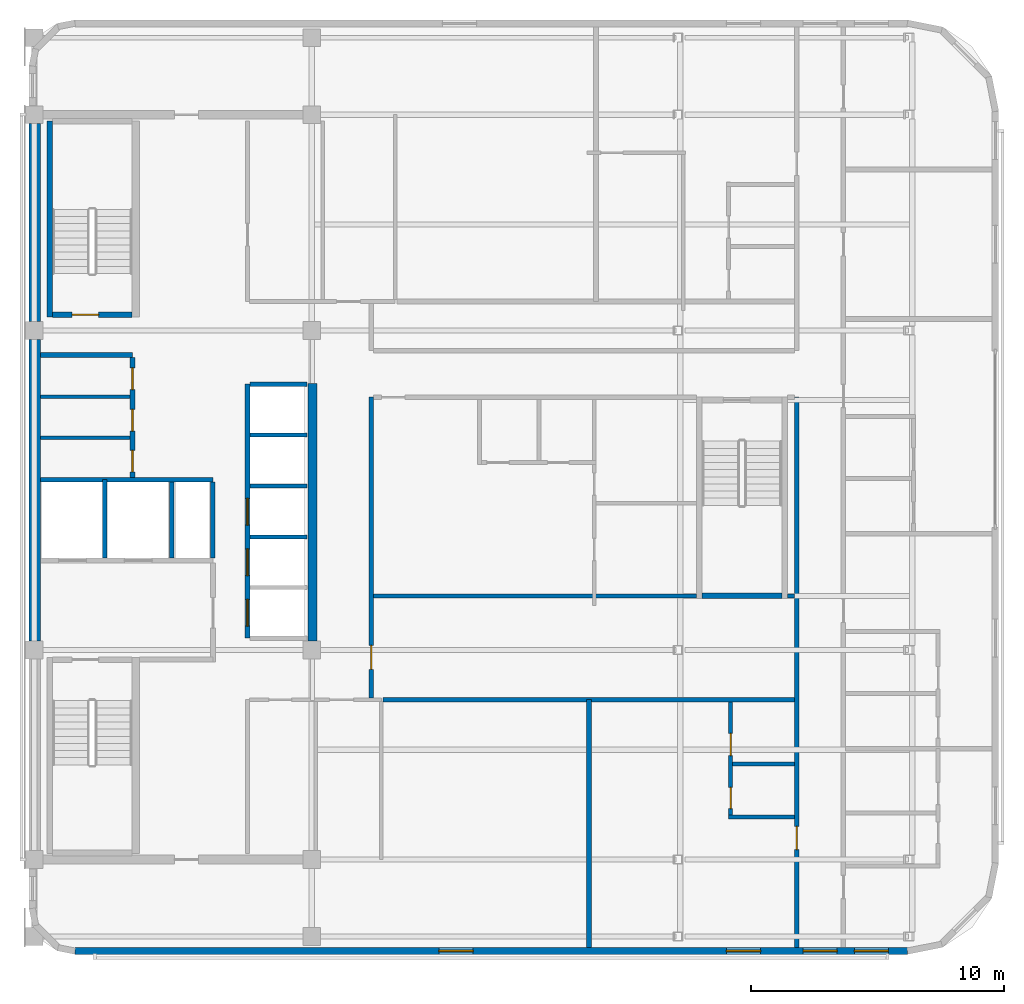
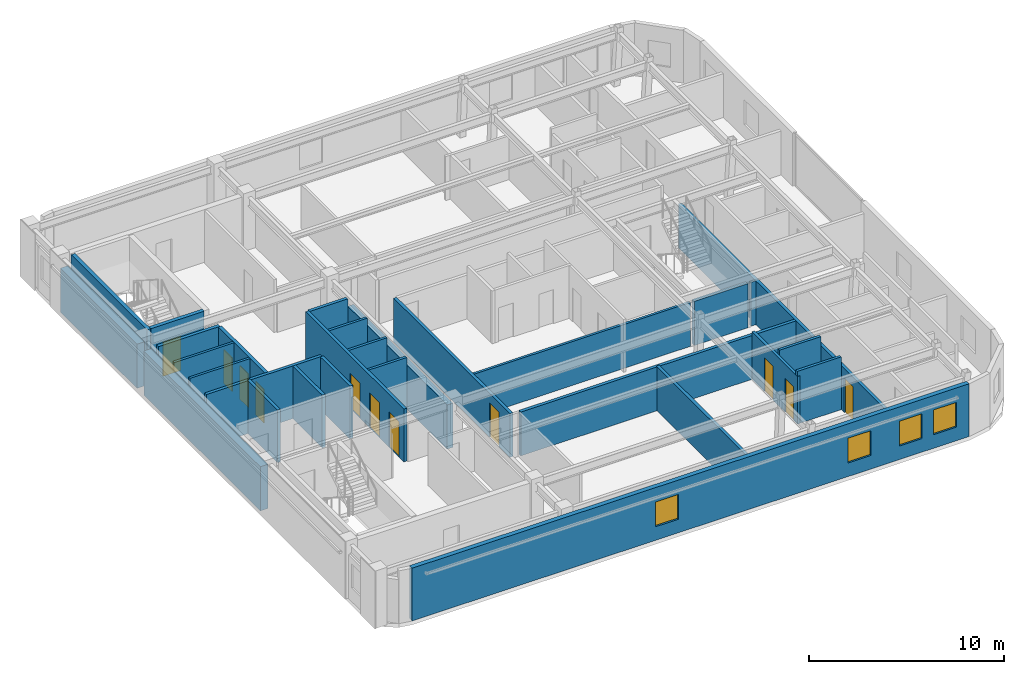
# One storey, part 4 of 11: 29 walls, 11 doors, 4 windows, 15 openings.
"""IFC4 building model written with IfcOpenShell, lengths in metres."""

from ifc_helpers import new_model, si_unit, direction, frame, frame_2d, origin, place, context, subcontext, project, spatial, rectangle, extrude, material, layer, layer_set, type_object, element, fill, save


model = new_model("IFC4")

# Units and contexts
model_context = context("Model", 3, precision=1e-05, world=origin(), true_north=direction((0.0, 1.0)))
body_context = subcontext(model_context, "Body", "Model", "MODEL_VIEW")
ifc_project = project(units=[si_unit("LENGTHUNIT", "METRE"), si_unit("AREAUNIT", "SQUARE_METRE"), si_unit("VOLUMEUNIT", "CUBIC_METRE"), si_unit("PLANEANGLEUNIT", "RADIAN"), si_unit("MASSUNIT", "GRAM", prefix="KILO")], contexts=[model_context])

# Site, building, storey
site_placement = place(None, origin())
site = spatial("IfcSite", under=ifc_project, at=site_placement, CompositionType="ELEMENT")
building_placement = place(site_placement, origin())
building = spatial("IfcBuilding", under=site, at=building_placement, Name="Ochreholt Gables", CompositionType="ELEMENT")
storey_placement = place(building_placement, frame((0.0, 0.0, 278.39990234375)))
storey = spatial("IfcBuildingStorey", under=building, at=storey_placement, Name="L73", CompositionType="ELEMENT", Elevation=278.39990234375)

# Walls
ifc_material_1 = material(Name="Concrete 50 MPa", Category="concrete")
ifc_layer_1 = layer(ifc_material_1, 0.35009765625, Name="Concrete 50 MPa")
ifc_layer_set_1 = layer_set([ifc_layer_1], Name="Concrete 50 MPa")
wall_type_1 = type_object("IfcWallType", Name="WALL-CSW-350", PredefinedType="SHEAR", material=ifc_layer_set_1)
wall_1_placement = place(storey_placement, frame((35.22509765625, 17.89990234375, 0.0), z_axis=(0.0, 0.0, 1.0), x_axis=(0.0, 1.0, 0.0)))
element("IfcWall", 1, at=wall_1_placement, inside=storey, type_object=wall_type_1, Name="L73 Core Central-East Shear Wall", PredefinedType="SHEAR", context=body_context, shape_type="SweptSolid", body=[
    extrude(rectangle(XDim=10.2001953125, YDim=0.35009765625, at=frame_2d((5.10009765625, 0.0))), origin(), (0.0, 0.0, 1.0), 2.760986328125),
])
ifc_layer_2 = layer(ifc_material_1, 0.449951171875, Name="Concrete 50 MPa")
ifc_layer_set_2 = layer_set([ifc_layer_2], Name="Concrete 50 MPa")
wall_type_2 = type_object("IfcWallType", Name="WALL-CSW-EXT", PredefinedType="SHEAR", material=ifc_layer_set_2)
wall_2_placement = place(storey_placement, frame((24.22509765625, 17.89990234375, 0.0), z_axis=(0.0, 0.0, 1.0), x_axis=(0.0, 1.0, 0.0)))
element("IfcWall", 2, at=wall_2_placement, inside=storey, type_object=wall_type_2, Name="L73 Core West Shear Wall WM", PredefinedType="SHEAR", context=body_context, shape_type="SweptSolid", body=[
    extrude(rectangle(XDim=11.9501953125, YDim=0.449951171875, at=frame_2d((5.97509765625, 0.0))), origin(), (0.0, 0.0, 1.0), 2.760986328125),
])
wall_3_placement = place(storey_placement, frame((24.22509765625, 30.550048828125, 0.0), z_axis=(0.0, 0.0, 1.0), x_axis=(0.0, 1.0, 0.0)))
element("IfcWall", 3, at=wall_3_placement, inside=storey, type_object=wall_type_2, Name="L73 Core West Shear Wall WN", PredefinedType="SHEAR", context=body_context, shape_type="SweptSolid", body=[
    extrude(rectangle(XDim=7.849853515625, YDim=0.449951171875, at=frame_2d((3.9248046875, 0.0))), origin(), (0.0, 0.0, 1.0), 2.760986328125),
])

# Wall, openings, windows
ifc_material_2 = material(Name="Precast concrete 40 MPa", Category="concrete")
ifc_layer_3 = layer(ifc_material_2, 0.27001953125, Name="Precast concrete 40 MPa")
ifc_layer_set_3 = layer_set([ifc_layer_3], Name="Precast concrete 40 MPa")
wall_type_3 = type_object("IfcWallType", Name="WALL-EXT-270", PredefinedType="SOLIDWALL", material=ifc_layer_set_3)
wall_4_placement = place(storey_placement, frame((25.820068359375, 5.635009765625, 0.0), z_axis=(0.0, 0.0, 1.0), x_axis=(1.0, 0.0, 0.0)))
wall_4 = element("IfcWall", 4, at=wall_4_placement, inside=storey, type_object=wall_type_3, Name="L73 South Exterior Wall", PredefinedType="SOLIDWALL", context=body_context, shape_type="SweptSolid", body=[
    extrude(rectangle(XDim=32.9599609375, YDim=0.27001953125, at=frame_2d((16.47998046875, 0.0))), origin(), (0.0, 0.0, 1.0), 3.300048828125),
])
opening_1_placement = place(wall_4_placement, frame((14.41259765625, 0.0, 0.85009765625)))
opening_1 = element("IfcOpeningElement", 5, at=opening_1_placement, cuts=wall_4, Name="Opening WN-8", PredefinedType="OPENING", context=body_context, shape_type="SweptSolid", body=[
    extrude(rectangle(XDim=1.35009765625, YDim=1.550048828125, at=frame_2d((0.675048828125, 0.77490234375))), frame((0.0, 0.14501953125, 0.0), z_axis=(0.0, -1.0, 0.0), x_axis=(1.0, 0.0, 0.0)), (0.0, 0.0, 1.0), 0.2900390625),
])
opening_2_placement = place(wall_4_placement, frame((25.79638671875, 0.0, 0.85009765625)))
opening_2 = element("IfcOpeningElement", 6, at=opening_2_placement, cuts=wall_4, Name="Opening WN-8", PredefinedType="OPENING", context=body_context, shape_type="SweptSolid", body=[
    extrude(rectangle(XDim=1.35009765625, YDim=1.550048828125, at=frame_2d((0.675048828125, 0.77490234375))), frame((0.0, 0.14501953125, 0.0), z_axis=(0.0, -1.0, 0.0), x_axis=(1.0, 0.0, 0.0)), (0.0, 0.0, 1.0), 0.2900390625),
])
opening_3_placement = place(wall_4_placement, frame((28.830078125, 0.0, 0.85009765625)))
opening_3 = element("IfcOpeningElement", 7, at=opening_3_placement, cuts=wall_4, Name="Opening WN-8", PredefinedType="OPENING", context=body_context, shape_type="SweptSolid", body=[
    extrude(rectangle(XDim=1.35009765625, YDim=1.550048828125, at=frame_2d((0.675048828125, 0.77490234375))), frame((0.0, 0.14501953125, 0.0), z_axis=(0.0, -1.0, 0.0), x_axis=(1.0, 0.0, 0.0)), (0.0, 0.0, 1.0), 0.2900390625),
])
opening_4_placement = place(wall_4_placement, frame((30.8642578125, 0.0, 0.85009765625)))
opening_4 = element("IfcOpeningElement", 8, at=opening_4_placement, cuts=wall_4, Name="Opening WN-8", PredefinedType="OPENING", context=body_context, shape_type="SweptSolid", body=[
    extrude(rectangle(XDim=1.35009765625, YDim=1.550048828125, at=frame_2d((0.675048828125, 0.77490234375))), frame((0.0, 0.14501953125, 0.0), z_axis=(0.0, -1.0, 0.0), x_axis=(1.0, 0.0, 0.0)), (0.0, 0.0, 1.0), 0.2900390625),
])
ifc_material_3 = material(Name="Triple-Glazed Thermally Broken Aluminium Window", Category="aluminium")
window_type = type_object("IfcWindowType", Name="WIN-RES-1350", PartitioningType="SINGLE_PANEL", PredefinedType="WINDOW", material=ifc_material_3)
window_1_placement = place(opening_1_placement, origin())
window_1 = element("IfcWindow", 9, at=window_1_placement, inside=storey, type_object=window_type, Name="L73 Window W-EXT-S-L73-1", OverallHeight=1.550048828125, OverallWidth=1.35009765625, PartitioningType="SINGLE_PANEL", PredefinedType="WINDOW", context=body_context, shape_type="SweptSolid", body=[
    extrude(rectangle(XDim=1.35009765625, YDim=1.550048828125, at=frame_2d((0.675048828125, 0.77490234375))), frame((0.0, 0.030029296875, 0.0), z_axis=(0.0, -1.0, 0.0), x_axis=(1.0, 0.0, 0.0)), (0.0, 0.0, 1.0), 0.06005859375),
])
fill(opening_1, window_1)
window_2_placement = place(opening_2_placement, origin())
window_2 = element("IfcWindow", 10, at=window_2_placement, inside=storey, type_object=window_type, Name="L73 Window W-EXT-S-L73-2", OverallHeight=1.550048828125, OverallWidth=1.35009765625, PartitioningType="SINGLE_PANEL", PredefinedType="WINDOW", context=body_context, shape_type="SweptSolid", body=[
    extrude(rectangle(XDim=1.35009765625, YDim=1.550048828125, at=frame_2d((0.675048828125, 0.77490234375))), frame((0.0, 0.030029296875, 0.0), z_axis=(0.0, -1.0, 0.0), x_axis=(1.0, 0.0, 0.0)), (0.0, 0.0, 1.0), 0.06005859375),
])
fill(opening_2, window_2)
window_3_placement = place(opening_3_placement, origin())
window_3 = element("IfcWindow", 11, at=window_3_placement, inside=storey, type_object=window_type, Name="L73 Window W-EXT-S-L73-3", OverallHeight=1.550048828125, OverallWidth=1.35009765625, PartitioningType="SINGLE_PANEL", PredefinedType="WINDOW", context=body_context, shape_type="SweptSolid", body=[
    extrude(rectangle(XDim=1.35009765625, YDim=1.550048828125, at=frame_2d((0.675048828125, 0.77490234375))), frame((0.0, 0.030029296875, 0.0), z_axis=(0.0, -1.0, 0.0), x_axis=(1.0, 0.0, 0.0)), (0.0, 0.0, 1.0), 0.06005859375),
])
fill(opening_3, window_3)
window_4_placement = place(opening_4_placement, origin())
window_4 = element("IfcWindow", 12, at=window_4_placement, inside=storey, type_object=window_type, Name="L73 Window W-EXT-S-L73-4", OverallHeight=1.550048828125, OverallWidth=1.35009765625, PartitioningType="SINGLE_PANEL", PredefinedType="WINDOW", context=body_context, shape_type="SweptSolid", body=[
    extrude(rectangle(XDim=1.35009765625, YDim=1.550048828125, at=frame_2d((0.675048828125, 0.77490234375))), frame((0.0, 0.030029296875, 0.0), z_axis=(0.0, -1.0, 0.0), x_axis=(1.0, 0.0, 0.0)), (0.0, 0.0, 1.0), 0.06005859375),
])
fill(opening_4, window_4)

# Wall
ifc_material_4 = material(Name="Concrete 40 MPa", Category="concrete")
ifc_layer_4 = layer(ifc_material_4, 0.199951171875, Name="Concrete 40 MPa")
ifc_layer_set_4 = layer_set([ifc_layer_4], Name="Concrete 40 MPa")
wall_type_4 = type_object("IfcWallType", Name="WALL-INT-CF200", PredefinedType="STANDARD", material=ifc_layer_set_4)
wall_5_placement = place(storey_placement, frame((24.449951171875, 29.239990234375, 0.0), z_axis=(0.0, 0.0, 1.0), x_axis=(1.0, 0.0, 0.0)))
element("IfcWall", 13, at=wall_5_placement, inside=storey, type_object=wall_type_4, Name="L73 Interior Wall WI-SRVN-L73", PredefinedType="STANDARD", context=body_context, shape_type="SweptSolid", body=[
    extrude(rectangle(XDim=3.650146484375, YDim=0.199951171875, at=frame_2d((1.8251953125, 0.0))), origin(), (0.0, 0.0, 1.0), 3.300048828125),
])

# Wall, openings, doors
wall_6_placement = place(storey_placement, frame((28.10009765625, 24.389892578125, 0.0), z_axis=(0.0, 0.0, 1.0), x_axis=(0.0, 1.0, 0.0)))
wall_6 = element("IfcWall", 14, at=wall_6_placement, inside=storey, type_object=wall_type_4, Name="L73 Interior Wall WI-SRVE-L73", PredefinedType="STANDARD", context=body_context, shape_type="SweptSolid", body=[
    extrude(rectangle(XDim=4.75, YDim=0.199951171875, at=frame_2d((2.375, 0.0))), origin(), (0.0, 0.0, 1.0), 3.300048828125),
])
opening_5_placement = place(wall_6_placement, frame((0.2099609375, 0.0, 0.0)))
opening_5 = element("IfcOpeningElement", 15, at=opening_5_placement, cuts=wall_6, Name="Opening D-SV2", PredefinedType="OPENING", context=body_context, shape_type="SweptSolid", body=[
    extrude(rectangle(XDim=0.860107421875, YDim=2.10009765625, at=frame_2d((0.43017578125, 1.050048828125))), frame((0.0, 0.10986328125, 0.0), z_axis=(0.0, -1.0, 0.0), x_axis=(1.0, 0.0, 0.0)), (0.0, 0.0, 1.0), 0.219970703125),
])
opening_6_placement = place(wall_6_placement, frame((1.830078125, 0.0, 0.0)))
opening_6 = element("IfcOpeningElement", 16, at=opening_6_placement, cuts=wall_6, Name="Opening D-SV2", PredefinedType="OPENING", context=body_context, shape_type="SweptSolid", body=[
    extrude(rectangle(XDim=0.860107421875, YDim=2.10009765625, at=frame_2d((0.43017578125, 1.050048828125))), frame((0.0, 0.10986328125, 0.0), z_axis=(0.0, -1.0, 0.0), x_axis=(1.0, 0.0, 0.0)), (0.0, 0.0, 1.0), 0.219970703125),
])
opening_7_placement = place(wall_6_placement, frame((3.469970703125, 0.0, 0.0)))
opening_7 = element("IfcOpeningElement", 17, at=opening_7_placement, cuts=wall_6, Name="Opening D-SV2", PredefinedType="OPENING", context=body_context, shape_type="SweptSolid", body=[
    extrude(rectangle(XDim=0.860107421875, YDim=2.10009765625, at=frame_2d((0.43017578125, 1.050048828125))), frame((0.0, 0.10986328125, 0.0), z_axis=(0.0, -1.0, 0.0), x_axis=(1.0, 0.0, 0.0)), (0.0, 0.0, 1.0), 0.219970703125),
])
ifc_material_5 = material(Name="Hollow Metal Steel", Category="steel")
door_type_1 = type_object("IfcDoorType", Name="DR-INT-SRV860", OperationType="NOTDEFINED", PredefinedType="DOOR", material=ifc_material_5)
door_1_placement = place(opening_5_placement, origin())
door_1 = element("IfcDoor", 18, at=door_1_placement, inside=storey, type_object=door_type_1, Name="L73 Door D-SRV1-L73", OperationType="SINGLE_SWING_LEFT", OverallHeight=2.10009765625, OverallWidth=0.860107421875, PredefinedType="DOOR", context=body_context, shape_type="SweptSolid", body=[
    extrude(rectangle(XDim=0.860107421875, YDim=2.10009765625, at=frame_2d((0.43017578125, 1.050048828125))), frame((0.0, 0.02490234375, 0.0), z_axis=(0.0, -1.0, 0.0), x_axis=(1.0, 0.0, 0.0)), (0.0, 0.0, 1.0), 0.050048828125),
])
fill(opening_5, door_1)
door_2_placement = place(opening_6_placement, origin())
door_2 = element("IfcDoor", 19, at=door_2_placement, inside=storey, type_object=door_type_1, Name="L73 Door D-SRV2-L73", OperationType="SINGLE_SWING_RIGHT", OverallHeight=2.10009765625, OverallWidth=0.860107421875, PredefinedType="DOOR", context=body_context, shape_type="SweptSolid", body=[
    extrude(rectangle(XDim=0.860107421875, YDim=2.10009765625, at=frame_2d((0.43017578125, 1.050048828125))), frame((0.0, 0.02490234375, 0.0), z_axis=(0.0, -1.0, 0.0), x_axis=(1.0, 0.0, 0.0)), (0.0, 0.0, 1.0), 0.050048828125),
])
fill(opening_6, door_2)
door_3_placement = place(opening_7_placement, origin())
door_3 = element("IfcDoor", 20, at=door_3_placement, inside=storey, type_object=door_type_1, Name="L73 Door D-SRV3-L73", OperationType="SINGLE_SWING_LEFT", OverallHeight=2.10009765625, OverallWidth=0.860107421875, PredefinedType="DOOR", context=body_context, shape_type="SweptSolid", body=[
    extrude(rectangle(XDim=0.860107421875, YDim=2.10009765625, at=frame_2d((0.43017578125, 1.050048828125))), frame((0.0, 0.02490234375, 0.0), z_axis=(0.0, -1.0, 0.0), x_axis=(1.0, 0.0, 0.0)), (0.0, 0.0, 1.0), 0.050048828125),
])
fill(opening_7, door_3)

# Wall, opening, door
ifc_material_6 = material(Name="Fire-Rated Gypsum Acoustic Partition", Category="gypsum")
ifc_layer_5 = layer(ifc_material_6, 0.179931640625, Name="Fire-Rated Gypsum Acoustic Partition")
ifc_layer_set_5 = layer_set([ifc_layer_5], Name="Fire-Rated Gypsum Acoustic Partition")
wall_type_5 = type_object("IfcWallType", Name="WALL-INT-CR180", PredefinedType="STANDARD", material=ifc_layer_set_5)
wall_7_placement = place(storey_placement, frame((37.550048828125, 15.652587890625, 0.0), z_axis=(0.0, 0.0, 1.0), x_axis=(0.0, 1.0, 0.0)))
wall_7 = element("IfcWall", 21, at=wall_7_placement, inside=storey, type_object=wall_type_5, Name="L73 Interior Wall WI-C3CE0-L73", PredefinedType="STANDARD", context=body_context, shape_type="SweptSolid", body=[
    extrude(rectangle(XDim=11.907470703125, YDim=0.179931640625, at=frame_2d((5.95361328125, 0.0))), origin(), (0.0, 0.0, 1.0), 2.7431640625),
])
opening_8_placement = place(wall_7_placement, frame((1.12744140625, 0.0, 0.0)))
opening_8 = element("IfcOpeningElement", 22, at=opening_8_placement, cuts=wall_7, Name="Opening D-GN1", PredefinedType="OPENING", context=body_context, shape_type="SweptSolid", body=[
    extrude(rectangle(XDim=0.949951171875, YDim=2.14990234375, at=frame_2d((0.47509765625, 1.074951171875))), frame((0.0, 0.099853515625, 0.0), z_axis=(0.0, -1.0, 0.0), x_axis=(1.0, 0.0, 0.0)), (0.0, 0.0, 1.0), 0.199951171875),
])
ifc_material_7 = material(Name="Engineered Oak Timber", Category="wood")
door_type_2 = type_object("IfcDoorType", Name="DR-INT-GEN950", OperationType="NOTDEFINED", PredefinedType="DOOR", material=ifc_material_7)
door_4_placement = place(opening_8_placement, origin())
door_4 = element("IfcDoor", 23, at=door_4_placement, inside=storey, type_object=door_type_2, Name="L73 Door D-C3FSS-L73", OperationType="SINGLE_SWING_LEFT", OverallHeight=2.14990234375, OverallWidth=0.949951171875, PredefinedType="DOOR", context=body_context, shape_type="SweptSolid", body=[
    extrude(rectangle(XDim=0.949951171875, YDim=2.14990234375, at=frame_2d((0.47509765625, 1.074951171875))), frame((0.0, 0.02490234375, 0.0), z_axis=(0.0, -1.0, 0.0), x_axis=(1.0, 0.0, 0.0)), (0.0, 0.0, 1.0), 0.050048828125),
])
fill(opening_8, door_4)

wall_8_placement = place(storey_placement, frame((54.39990234375, 5.77001953125, 0.0), z_axis=(0.0, 0.0, 1.0), x_axis=(0.0, 1.0, 0.0)))
wall_8 = element("IfcWall", 24, at=wall_8_placement, inside=storey, type_object=wall_type_5, Name="L73 Interior Wall WI-C3GW0-L73", PredefinedType="STANDARD", context=body_context, shape_type="SweptSolid", body=[
    extrude(rectangle(XDim=21.7900390625, YDim=0.179931640625, at=frame_2d((10.89501953125, 0.0))), origin(), (0.0, 0.0, 1.0), 2.7431640625),
])
opening_9_placement = place(wall_8_placement, frame((3.8701171875, 0.0, 0.0)))
opening_9 = element("IfcOpeningElement", 25, at=opening_9_placement, cuts=wall_8, Name="Opening D-UN1", PredefinedType="OPENING", context=body_context, shape_type="SweptSolid", body=[
    extrude(rectangle(XDim=0.919921875, YDim=2.14990234375, at=frame_2d((0.4599609375, 1.074951171875))), frame((0.0, 0.099853515625, 0.0), z_axis=(0.0, -1.0, 0.0), x_axis=(1.0, 0.0, 0.0)), (0.0, 0.0, 1.0), 0.199951171875),
])
door_type_3 = type_object("IfcDoorType", Name="DR-INT-UNT920", OperationType="NOTDEFINED", PredefinedType="DOOR", material=ifc_material_7)
door_5_placement = place(opening_9_placement, origin())
door_5 = element("IfcDoor", 26, at=door_5_placement, inside=storey, type_object=door_type_3, Name="L73 Door D-U-L73SM1-ENT", OperationType="SINGLE_SWING_LEFT", OverallHeight=2.14990234375, OverallWidth=0.919921875, PredefinedType="DOOR", context=body_context, shape_type="SweptSolid", body=[
    extrude(rectangle(XDim=0.919921875, YDim=2.14990234375, at=frame_2d((0.4599609375, 1.074951171875))), frame((0.0, 0.02490234375, 0.0), z_axis=(0.0, -1.0, 0.0), x_axis=(1.0, 0.0, 0.0)), (0.0, 0.0, 1.0), 0.050048828125),
])
fill(opening_9, door_5)

# Walls
ifc_material_8 = material(Name="Double-Stud Acoustic Demising Wall", Category="gypsum")
ifc_layer_6 = layer(ifc_material_8, 0.18505859375, Name="Double-Stud Acoustic Demising Wall")
ifc_layer_set_6 = layer_set([ifc_layer_6], Name="Double-Stud Acoustic Demising Wall")
wall_type_6 = type_object("IfcWallType", Name="WALL-INT-DM185", PredefinedType="PARTITIONING", material=ifc_layer_set_6)
wall_9_placement = place(storey_placement, frame((46.175048828125, 5.77001953125, 0.0), z_axis=(0.0, 0.0, 1.0), x_axis=(0.0, 1.0, 0.0)))
element("IfcWall", 27, at=wall_9_placement, inside=storey, type_object=wall_type_6, Name="L73 Interior Wall WI-C3SMX-L73", PredefinedType="PARTITIONING", context=body_context, shape_type="SweptSolid", body=[
    extrude(rectangle(XDim=9.81005859375, YDim=0.18505859375, at=frame_2d((4.905029296875, 0.0))), origin(), (0.0, 0.0, 1.0), 2.7431640625),
])
wall_10_placement = place(storey_placement, frame((38.0224609375, 15.580078125, 0.0), z_axis=(0.0, 0.0, 1.0), x_axis=(1.0, 0.0, 0.0)))
element("IfcWall", 28, at=wall_10_placement, inside=storey, type_object=wall_type_6, Name="L73 Interior Wall WI-C3SMY-L73", PredefinedType="PARTITIONING", context=body_context, shape_type="SweptSolid", body=[
    extrude(rectangle(XDim=16.28759765625, YDim=0.18505859375, at=frame_2d((8.143798828125, 0.0))), origin(), (0.0, 0.0, 1.0), 2.7431640625),
])
ifc_material_9 = material(Name="Moisture-Resistant Plumbing Chase Wall", Category="gypsum")
ifc_layer_7 = layer(ifc_material_9, 0.159912109375, Name="Moisture-Resistant Plumbing Chase Wall")
ifc_layer_set_7 = layer_set([ifc_layer_7], Name="Moisture-Resistant Plumbing Chase Wall")
wall_type_7 = type_object("IfcWallType", Name="WALL-INT-PL160", PredefinedType="PLUMBINGWALL", material=ifc_layer_set_7)
wall_11_placement = place(storey_placement, frame((51.7041015625, 10.93994140625, 0.0), z_axis=(0.0, 0.0, 1.0), x_axis=(1.0, 0.0, 0.0)))
element("IfcWall", 29, at=wall_11_placement, inside=storey, type_object=wall_type_7, Name="L73 Interior Wall WU-L73SM1-WYS", PredefinedType="PLUMBINGWALL", context=body_context, shape_type="SweptSolid", body=[
    extrude(rectangle(XDim=2.60595703125, YDim=0.159912109375, at=frame_2d((1.302978515625, 0.0))), origin(), (0.0, 0.0, 1.0), 3.300048828125),
])

# Wall, openings, doors
wall_12_placement = place(storey_placement, frame((51.783935546875, 10.85009765625, 0.0), z_axis=(0.0, 0.0, 1.0), x_axis=(0.0, 1.0, 0.0)))
wall_12 = element("IfcWall", 30, at=wall_12_placement, inside=storey, type_object=wall_type_7, Name="L73 Interior Wall WU-L73SM1-WX", PredefinedType="PLUMBINGWALL", context=body_context, shape_type="SweptSolid", body=[
    extrude(rectangle(XDim=4.637451171875, YDim=0.159912109375, at=frame_2d((2.31884765625, 0.0))), origin(), (0.0, 0.0, 1.0), 2.97900390625),
])
opening_10_placement = place(wall_12_placement, frame((0.419921875, 0.0, 0.0)))
opening_10 = element("IfcOpeningElement", 31, at=opening_10_placement, cuts=wall_12, Name="Opening D-BT2", PredefinedType="OPENING", context=body_context, shape_type="SweptSolid", body=[
    extrude(rectangle(XDim=0.840087890625, YDim=2.1201171875, at=frame_2d((0.419921875, 1.06005859375))), frame((0.0, 0.08984375, 0.0), z_axis=(0.0, -1.0, 0.0), x_axis=(1.0, 0.0, 0.0)), (0.0, 0.0, 1.0), 0.179931640625),
])
opening_11_placement = place(wall_12_placement, frame((2.512939453125, 0.0, 0.0)))
opening_11 = element("IfcOpeningElement", 32, at=opening_11_placement, cuts=wall_12, Name="Opening D-GN2", PredefinedType="OPENING", context=body_context, shape_type="SweptSolid", body=[
    extrude(rectangle(XDim=0.8798828125, YDim=2.1201171875, at=frame_2d((0.43994140625, 1.06005859375))), frame((0.0, 0.08984375, 0.0), z_axis=(0.0, -1.0, 0.0), x_axis=(1.0, 0.0, 0.0)), (0.0, 0.0, 1.0), 0.179931640625),
])
door_type_4 = type_object("IfcDoorType", Name="DR-INT-BTH840", OperationType="NOTDEFINED", PredefinedType="DOOR", material=ifc_material_7)
door_6_placement = place(opening_10_placement, origin())
door_6 = element("IfcDoor", 33, at=door_6_placement, inside=storey, type_object=door_type_4, Name="L73 Door D-U-L73SM1-BTH", OperationType="SINGLE_SWING_RIGHT", OverallHeight=2.1201171875, OverallWidth=0.840087890625, PredefinedType="DOOR", context=body_context, shape_type="SweptSolid", body=[
    extrude(rectangle(XDim=0.840087890625, YDim=2.1201171875, at=frame_2d((0.419921875, 1.06005859375))), frame((0.0, 0.02490234375, 0.0), z_axis=(0.0, -1.0, 0.0), x_axis=(1.0, 0.0, 0.0)), (0.0, 0.0, 1.0), 0.050048828125),
])
fill(opening_10, door_6)
door_type_5 = type_object("IfcDoorType", Name="DR-INT-GEN880", OperationType="NOTDEFINED", PredefinedType="DOOR", material=ifc_material_7)
door_7_placement = place(opening_11_placement, origin())
door_7 = element("IfcDoor", 34, at=door_7_placement, inside=storey, type_object=door_type_5, Name="L73 Door D-U-L73SM1-KIT", OperationType="SINGLE_SWING_LEFT", OverallHeight=2.1201171875, OverallWidth=0.8798828125, PredefinedType="DOOR", context=body_context, shape_type="SweptSolid", body=[
    extrude(rectangle(XDim=0.8798828125, YDim=2.1201171875, at=frame_2d((0.43994140625, 1.06005859375))), frame((0.0, 0.02490234375, 0.0), z_axis=(0.0, -1.0, 0.0), x_axis=(1.0, 0.0, 0.0)), (0.0, 0.0, 1.0), 0.050048828125),
])
fill(opening_11, door_7)

# Walls
wall_13_placement = place(storey_placement, frame((51.864013671875, 13.032958984375, 0.0), z_axis=(0.0, 0.0, 1.0), x_axis=(1.0, 0.0, 0.0)))
element("IfcWall", 35, at=wall_13_placement, inside=storey, type_object=wall_type_7, Name="L73 Interior Wall WU-L73SM1-WM", PredefinedType="PLUMBINGWALL", context=body_context, shape_type="SweptSolid", body=[
    extrude(rectangle(XDim=2.446044921875, YDim=0.159912109375, at=frame_2d((1.22314453125, 0.0))), origin(), (0.0, 0.0, 1.0), 3.300048828125),
])
ifc_material_10 = material(Name="Lightweight Stud Partition", Category="gypsum")
ifc_layer_8 = layer(ifc_material_10, 0.14501953125, Name="Lightweight Stud Partition")
ifc_layer_set_8 = layer_set([ifc_layer_8], Name="Lightweight Stud Partition")
wall_type_8 = type_object("IfcWallType", Name="WALL-INT-PT145", PredefinedType="PARTITIONING", material=ifc_layer_set_8)
for number, where, z_axis, x_axis, name in (
    (36, (24.449951171875, 25.949951171875, 0.0), (0.0, 0.0, 1.0), (1.0, 0.0, 0.0), "L73 Interior Wall WI-SRVP1-L73"),
    (37, (24.449951171875, 27.580078125, 0.0), (0.0, 0.0, 1.0), (1.0, 0.0, 0.0), "L73 Interior Wall WI-SRVP2-L73"),
):
    element("IfcWall", number, at=place(storey_placement, frame(where, z_axis=z_axis, x_axis=x_axis)), inside=storey, type_object=wall_type_8, Name=name, PredefinedType="PARTITIONING", context=body_context, shape_type="SweptSolid", body=[
        extrude(rectangle(XDim=3.550048828125, YDim=0.14501953125, at=frame_2d((1.77490234375, 0.0))), origin(), (0.0, 0.0, 1.0), 3.300048828125),
    ])
wall_14_placement = place(storey_placement, frame((37.639892578125, 19.68994140625, 0.0), z_axis=(0.0, 0.0, 1.0), x_axis=(1.0, 0.0, 0.0)))
element("IfcWall", 38, at=wall_14_placement, inside=storey, type_object=wall_type_8, Name="L73 Interior Wall WI-C3FSYA-L73", PredefinedType="PARTITIONING", context=body_context, shape_type="SweptSolid", body=[
    extrude(rectangle(XDim=12.7900390625, YDim=0.14501953125, at=frame_2d((6.39501953125, 0.0))), origin(), (0.0, 0.0, 1.0), 2.7431640625),
])
wall_15_placement = place(storey_placement, frame((54.030029296875, 19.68994140625, 0.0), z_axis=(0.0, 0.0, 1.0), x_axis=(1.0, 0.0, 0.0)))
element("IfcWall", 39, at=wall_15_placement, inside=storey, type_object=wall_type_8, Name="L73 Interior Wall WI-C3FSYB-L73", PredefinedType="PARTITIONING", context=body_context, shape_type="SweptSolid", body=[
    extrude(rectangle(XDim=0.280029296875, YDim=0.14501953125, at=frame_2d((0.14013671875, 0.0))), origin(), (0.0, 0.0, 1.0), 2.7431640625),
])
ifc_material_11 = material(Name="Gypsum Shaftliner and Steel Stud", Category="steel")
ifc_layer_9 = layer(ifc_material_11, 0.14990234375, Name="Gypsum Shaftliner and Steel Stud")
ifc_layer_set_9 = layer_set([ifc_layer_9], Name="Gypsum Shaftliner and Steel Stud")
wall_type_9 = type_object("IfcWallType", Name="WALL-INT-SH150", PredefinedType="STANDARD", material=ifc_layer_set_9)
for number, where, z_axis, x_axis, name in (
    (40, (32.739990234375, 22.02001953125, 0.0), (0.0, 0.0, 1.0), (1.0, 0.0, 0.0), "L73 Interior Wall WI-LFHE-DH2-L73"),
    (41, (32.739990234375, 24.050048828125, 0.0), (0.0, 0.0, 1.0), (1.0, 0.0, 0.0), "L73 Interior Wall WI-LFHE-DHE-L73"),
    (42, (32.739990234375, 26.070068359375, 0.0), (0.0, 0.0, 1.0), (1.0, 0.0, 0.0), "L73 Interior Wall WI-LFHE-DEX1-L73"),
):
    element("IfcWall", number, at=place(storey_placement, frame(where, z_axis=z_axis, x_axis=x_axis)), inside=storey, type_object=wall_type_9, Name=name, PredefinedType="STANDARD", context=body_context, shape_type="SweptSolid", body=[
        extrude(rectangle(XDim=2.260009765625, YDim=0.14990234375, at=frame_2d((1.1298828125, 0.0))), origin(), (0.0, 0.0, 1.0), 3.300048828125),
    ])
ifc_layer_10 = layer(ifc_material_11, 0.179931640625, Name="Gypsum Shaftliner and Steel Stud")
ifc_layer_set_10 = layer_set([ifc_layer_10], Name="Gypsum Shaftliner and Steel Stud")
wall_type_10 = type_object("IfcWallType", Name="WALL-INT-SH180", PredefinedType="STANDARD", material=ifc_layer_set_10)
wall_16_placement = place(storey_placement, frame((27.0, 21.18994140625, 0.0), z_axis=(0.0, 0.0, 1.0), x_axis=(0.0, 1.0, 0.0)))
element("IfcWall", 43, at=wall_16_placement, inside=storey, type_object=wall_type_10, Name="L73 Interior Wall WI-FFDIV-L73", PredefinedType="STANDARD", context=body_context, shape_type="SweptSolid", body=[
    extrude(rectangle(XDim=3.110107421875, YDim=0.179931640625, at=frame_2d((1.55517578125, 0.0))), origin(), (0.0, 0.0, 1.0), 3.300048828125),
])
wall_17_placement = place(storey_placement, frame((24.449951171875, 24.300048828125, 0.0), z_axis=(0.0, 0.0, 1.0), x_axis=(1.0, 0.0, 0.0)))
element("IfcWall", 44, at=wall_17_placement, inside=storey, type_object=wall_type_10, Name="L73 Interior Wall WI-FFBK-L73", PredefinedType="STANDARD", context=body_context, shape_type="SweptSolid", body=[
    extrude(rectangle(XDim=6.830078125, YDim=0.179931640625, at=frame_2d((3.4150390625, 0.0))), origin(), (0.0, 0.0, 1.0), 3.300048828125),
])
for number, where, z_axis, x_axis, name in (
    (45, (29.64990234375, 21.18994140625, 0.0), (0.0, 0.0, 1.0), (0.0, 1.0, 0.0), "L73 Interior Wall WI-FFSH-L73"),
    (46, (31.280029296875, 21.18994140625, 0.0), (0.0, 0.0, 1.0), (0.0, 1.0, 0.0), "L73 Interior Wall WI-RSE-L73"),
):
    element("IfcWall", number, at=place(storey_placement, frame(where, z_axis=z_axis, x_axis=x_axis)), inside=storey, type_object=wall_type_10, Name=name, PredefinedType="STANDARD", context=body_context, shape_type="SweptSolid", body=[
        extrude(rectangle(XDim=3.02001953125, YDim=0.179931640625, at=frame_2d((1.510009765625, 0.0))), origin(), (0.0, 0.0, 1.0), 3.300048828125),
    ])

# Wall, openings, doors
wall_18_placement = place(storey_placement, frame((32.64990234375, 18.02001953125, 0.0), z_axis=(0.0, 0.0, 1.0), x_axis=(0.0, 1.0, 0.0)))
wall_18 = element("IfcWall", 47, at=wall_18_placement, inside=storey, type_object=wall_type_10, Name="L73 Interior Wall WI-LFHE-FR-L73", PredefinedType="STANDARD", context=body_context, shape_type="SweptSolid", body=[
    extrude(rectangle(XDim=10.06005859375, YDim=0.179931640625, at=frame_2d((5.030029296875, 0.0))), origin(), (0.0, 0.0, 1.0), 3.300048828125),
])
opening_12_placement = place(wall_18_placement, frame((0.47998046875, 0.0, 0.0)))
opening_12 = element("IfcOpeningElement", 48, at=opening_12_placement, cuts=wall_18, Name="Opening LD-PX", PredefinedType="OPENING", context=body_context, shape_type="SweptSolid", body=[
    extrude(rectangle(XDim=1.050048828125, YDim=2.199951171875, at=frame_2d((0.52490234375, 1.10009765625))), frame((0.0, 0.099853515625, 0.0), z_axis=(0.0, -1.0, 0.0), x_axis=(1.0, 0.0, 0.0)), (0.0, 0.0, 1.0), 0.199951171875),
])
opening_13_placement = place(wall_18_placement, frame((2.47998046875, 0.0, 0.0)))
opening_13 = element("IfcOpeningElement", 49, at=opening_13_placement, cuts=wall_18, Name="Opening LD-PX", PredefinedType="OPENING", context=body_context, shape_type="SweptSolid", body=[
    extrude(rectangle(XDim=1.050048828125, YDim=2.199951171875, at=frame_2d((0.52490234375, 1.10009765625))), frame((0.0, 0.099853515625, 0.0), z_axis=(0.0, -1.0, 0.0), x_axis=(1.0, 0.0, 0.0)), (0.0, 0.0, 1.0), 0.199951171875),
])
opening_14_placement = place(wall_18_placement, frame((4.47998046875, 0.0, 0.0)))
opening_14 = element("IfcOpeningElement", 50, at=opening_14_placement, cuts=wall_18, Name="Opening LD-PX", PredefinedType="OPENING", context=body_context, shape_type="SweptSolid", body=[
    extrude(rectangle(XDim=1.050048828125, YDim=2.199951171875, at=frame_2d((0.52490234375, 1.10009765625))), frame((0.0, 0.099853515625, 0.0), z_axis=(0.0, -1.0, 0.0), x_axis=(1.0, 0.0, 0.0)), (0.0, 0.0, 1.0), 0.199951171875),
])
ifc_material_12 = material(Name="Stainless Steel", Category="steel")
door_type_6 = type_object("IfcDoorType", Name="DR-LFT-PX1050", OperationType="NOTDEFINED", PredefinedType="DOOR", material=ifc_material_12)
door_8_placement = place(opening_12_placement, origin())
door_8 = element("IfcDoor", 51, at=door_8_placement, inside=storey, type_object=door_type_6, Name="L73 Door LD-LF-H1-L73", OperationType="SLIDING_TO_LEFT", OverallHeight=2.199951171875, OverallWidth=1.050048828125, PredefinedType="DOOR", context=body_context, shape_type="SweptSolid", body=[
    extrude(rectangle(XDim=1.050048828125, YDim=2.199951171875, at=frame_2d((0.52490234375, 1.10009765625))), frame((0.0, 0.02490234375, 0.0), z_axis=(0.0, -1.0, 0.0), x_axis=(1.0, 0.0, 0.0)), (0.0, 0.0, 1.0), 0.050048828125),
])
fill(opening_12, door_8)
door_9_placement = place(opening_13_placement, origin())
door_9 = element("IfcDoor", 52, at=door_9_placement, inside=storey, type_object=door_type_6, Name="L73 Door LD-LF-H2-L73", OperationType="SLIDING_TO_LEFT", OverallHeight=2.199951171875, OverallWidth=1.050048828125, PredefinedType="DOOR", context=body_context, shape_type="SweptSolid", body=[
    extrude(rectangle(XDim=1.050048828125, YDim=2.199951171875, at=frame_2d((0.52490234375, 1.10009765625))), frame((0.0, 0.02490234375, 0.0), z_axis=(0.0, -1.0, 0.0), x_axis=(1.0, 0.0, 0.0)), (0.0, 0.0, 1.0), 0.050048828125),
])
fill(opening_13, door_9)
door_10_placement = place(opening_14_placement, origin())
door_10 = element("IfcDoor", 53, at=door_10_placement, inside=storey, type_object=door_type_6, Name="L73 Door LD-LF-H3-L73", OperationType="SLIDING_TO_LEFT", OverallHeight=2.199951171875, OverallWidth=1.050048828125, PredefinedType="DOOR", context=body_context, shape_type="SweptSolid", body=[
    extrude(rectangle(XDim=1.050048828125, YDim=2.199951171875, at=frame_2d((0.52490234375, 1.10009765625))), frame((0.0, 0.02490234375, 0.0), z_axis=(0.0, -1.0, 0.0), x_axis=(1.0, 0.0, 0.0)), (0.0, 0.0, 1.0), 0.050048828125),
])
fill(opening_14, door_10)

# Walls
wall_19_placement = place(storey_placement, frame((32.739990234375, 28.080078125, 0.0), z_axis=(0.0, 0.0, 1.0), x_axis=(1.0, 0.0, 0.0)))
element("IfcWall", 54, at=wall_19_placement, inside=storey, type_object=wall_type_10, Name="L73 Interior Wall WI-LFHE-N-L73", PredefinedType="STANDARD", context=body_context, shape_type="SweptSolid", body=[
    extrude(rectangle(XDim=2.260009765625, YDim=0.179931640625, at=frame_2d((1.1298828125, 0.0))), origin(), (0.0, 0.0, 1.0), 3.300048828125),
])
ifc_layer_11 = layer(ifc_material_1, 0.219970703125, Name="Concrete 50 MPa")
ifc_layer_set_11 = layer_set([ifc_layer_11], Name="Concrete 50 MPa")
wall_type_11 = type_object("IfcWallType", Name="WALL-STW-220", PredefinedType="SHEAR", material=ifc_layer_set_11)
wall_20_placement = place(storey_placement, frame((24.81005859375, 30.739990234375, 0.0), z_axis=(0.0, 0.0, 1.0), x_axis=(0.0, 1.0, 0.0)))
element("IfcWall", 55, at=wall_20_placement, inside=storey, type_object=wall_type_11, Name="L73 Exit Stair 2 West Wall", PredefinedType="SHEAR", context=body_context, shape_type="SweptSolid", body=[
    extrude(rectangle(XDim=7.760009765625, YDim=0.219970703125, at=frame_2d((3.8798828125, 0.0))), origin(), (0.0, 0.0, 1.0), 3.300048828125),
])

# Wall, opening, door
wall_21_placement = place(storey_placement, frame((24.919921875, 30.830078125, 0.0), z_axis=(0.0, 0.0, 1.0), x_axis=(1.0, 0.0, 0.0)))
wall_21 = element("IfcWall", 56, at=wall_21_placement, inside=storey, type_object=wall_type_11, Name="L73 Exit Stair 2 South Wall", PredefinedType="SHEAR", context=body_context, shape_type="SweptSolid", body=[
    extrude(rectangle(XDim=3.16015625, YDim=0.219970703125, at=frame_2d((1.580078125, 0.0))), origin(), (0.0, 0.0, 1.0), 3.300048828125),
])
opening_15_placement = place(wall_21_placement, frame((0.780029296875, 0.0, 0.0)))
opening_15 = element("IfcOpeningElement", 57, at=opening_15_placement, cuts=wall_21, Name="Opening D-STC", PredefinedType="OPENING", context=body_context, shape_type="SweptSolid", body=[
    extrude(rectangle(XDim=1.050048828125, YDim=2.14990234375, at=frame_2d((0.52490234375, 1.074951171875))), frame((0.0, 0.119873046875, 0.0), z_axis=(0.0, -1.0, 0.0), x_axis=(1.0, 0.0, 0.0)), (0.0, 0.0, 1.0), 0.239990234375),
])
door_type_7 = type_object("IfcDoorType", Name="DR-INT-ST1050", OperationType="NOTDEFINED", PredefinedType="DOOR", material=ifc_material_5)
door_11_placement = place(opening_15_placement, origin())
door_11 = element("IfcDoor", 58, at=door_11_placement, inside=storey, type_object=door_type_7, Name="L73 Door D-ST2-L73", OperationType="SINGLE_SWING_RIGHT", OverallHeight=2.14990234375, OverallWidth=1.050048828125, PredefinedType="DOOR", context=body_context, shape_type="SweptSolid", body=[
    extrude(rectangle(XDim=1.050048828125, YDim=2.14990234375, at=frame_2d((0.52490234375, 1.074951171875))), frame((0.0, 0.02490234375, 0.0), z_axis=(0.0, -1.0, 0.0), x_axis=(1.0, 0.0, 0.0)), (0.0, 0.0, 1.0), 0.050048828125),
])
fill(opening_15, door_11)

# Wall
wall_22_placement = place(storey_placement, frame((50.64990234375, 19.68994140625, 0.0), z_axis=(0.0, 0.0, 1.0), x_axis=(1.0, 0.0, 0.0)))
element("IfcWall", 59, at=wall_22_placement, inside=storey, type_object=wall_type_11, Name="L73 Feature Stair ST-C7 South Wall", PredefinedType="SHEAR", context=body_context, shape_type="SweptSolid", body=[
    extrude(rectangle(XDim=3.16015625, YDim=0.219970703125, at=frame_2d((1.580078125, 0.0))), origin(), (0.0, 0.0, 1.0), 2.761474609375),
])

save(model, "model.ifc")
